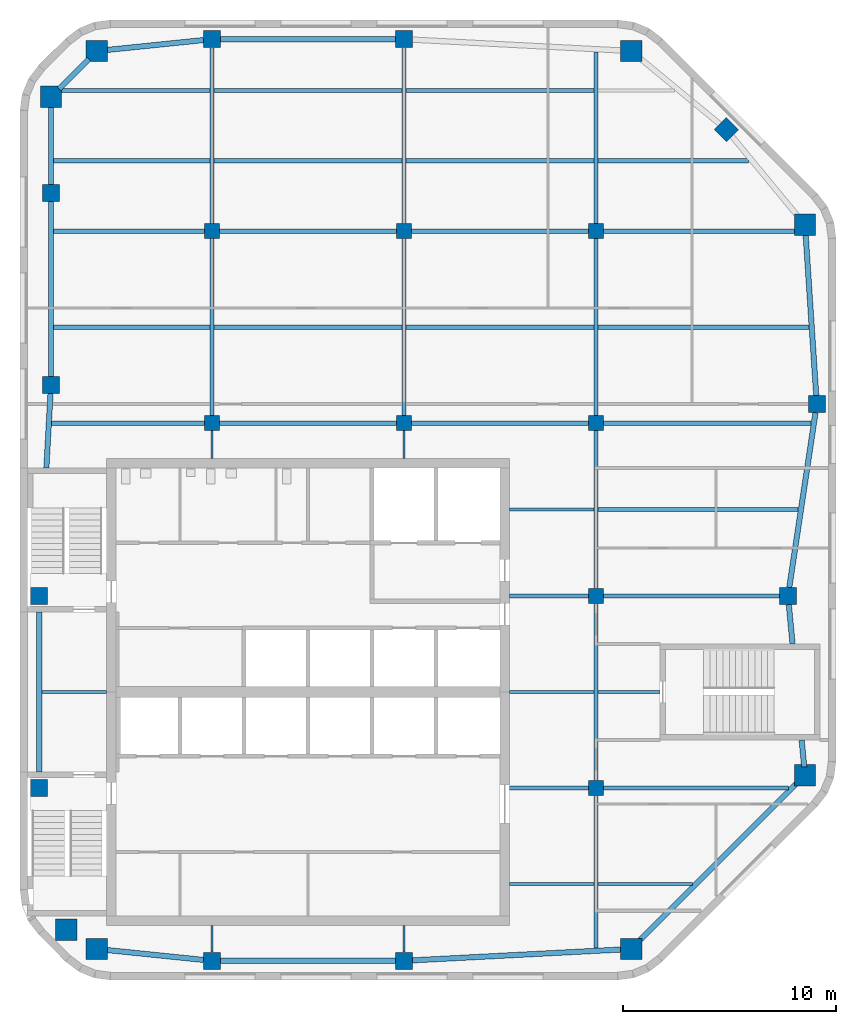
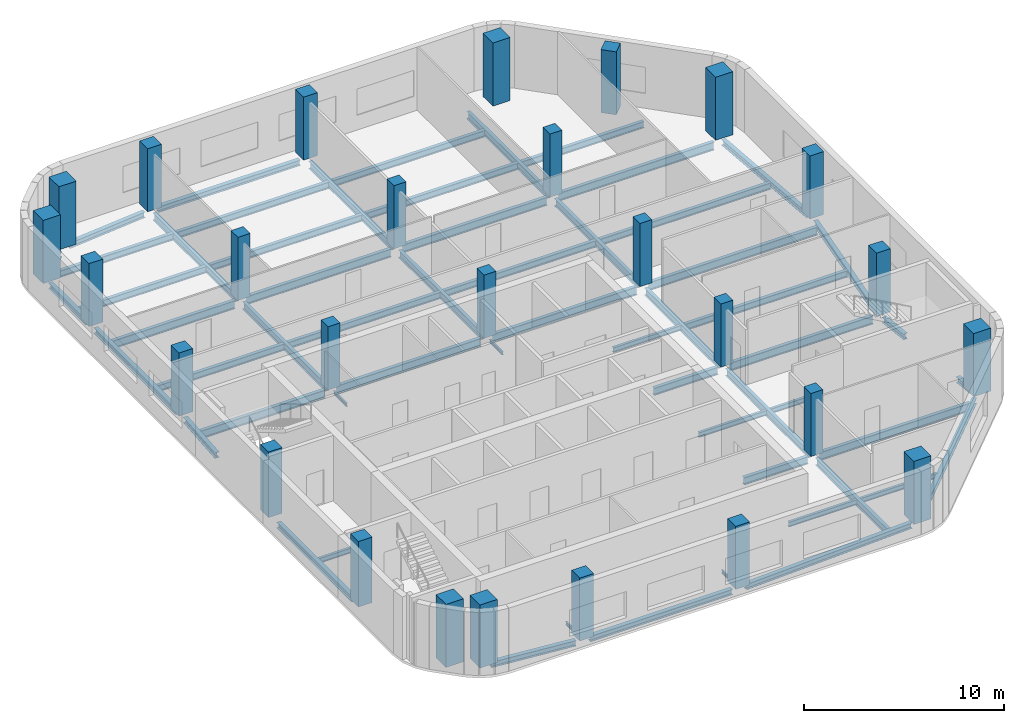
# One storey, part 1 of 7: 58 beams, 27 columns.
"""IFC4 building model written with IfcOpenShell, lengths in metres."""

from ifc_helpers import new_model, si_unit, direction, frame, origin, origin_2d, place, context, subcontext, project, spatial, rectangle, i_section, extrude, material, material_profile, profile_set, type_object, element, save


model = new_model("IFC4")

# Units and contexts
model_context = context("Model", 3, precision=1e-05, world=origin(), true_north=direction((0.0, 1.0)))
body_context = subcontext(model_context, "Body", "Model", "MODEL_VIEW")
ifc_project = project(units=[si_unit("LENGTHUNIT", "METRE"), si_unit("AREAUNIT", "SQUARE_METRE"), si_unit("VOLUMEUNIT", "CUBIC_METRE"), si_unit("PLANEANGLEUNIT", "RADIAN"), si_unit("MASSUNIT", "GRAM", prefix="KILO")], contexts=[model_context])

# Site, building, storey
site_placement = place(None, origin())
site = spatial("IfcSite", under=ifc_project, at=site_placement, CompositionType="ELEMENT")
building_placement = place(site_placement, origin())
building = spatial("IfcBuilding", under=site, at=building_placement, Name="Cinnabar Reach Civic Tower", CompositionType="ELEMENT")
storey_placement = place(building_placement, frame((0.0, 0.0, 263.0)))
storey = spatial("IfcBuildingStorey", under=building, at=storey_placement, Name="L63", CompositionType="ELEMENT", Elevation=263.0)

# Columns
ifc_material_1 = material(Name="Concrete C70", Category="concrete")
ifc_material_profile_1 = material_profile(ifc_material_1, rectangle(XDim=1.0, YDim=1.0, at=origin_2d()), Name="RC1000")
ifc_profile_set_1 = profile_set([ifc_material_profile_1], Name="Concrete C70")
column_type_1 = type_object("IfcColumnType", Name="RC1000 column R 240", PredefinedType="COLUMN", material=ifc_profile_set_1)
for number, where, z_axis, x_axis, name in (
    (1, (3.6019, 19.4531, 0.0), (0.0, 0.0, 1.0), (1.0, 0.0, 0.0), "Column T1-Z5-CC0"),
    (2, (28.6481, 19.4531, 0.0), (0.0, 0.0, 1.0), (1.0, 0.0, 0.0), "Column T1-Z5-CC1"),
    (3, (36.7969, 27.6019, 0.0), (0.0, 0.0, 1.0), (1.0, 0.0, 0.0), "Column T1-Z5-CC2"),
    (4, (36.7969, 53.3981, 0.0), (0.0, 0.0, 1.0), (1.0, 0.0, 0.0), "Column T1-Z5-CC3"),
    (5, (28.6481, 61.5469, 0.0), (0.0, 0.0, 1.0), (1.0, 0.0, 0.0), "Column T1-Z5-CC4"),
    (6, (3.6019, 61.5469, 0.0), (0.0, 0.0, 1.0), (1.0, 0.0, 0.0), "Column T1-Z5-CC5"),
    (7, (1.4531, 59.3981, 0.0), (0.0, 0.0, 1.0), (1.0, 0.0, 0.0), "Column T1-Z5-CC6"),
    (8, (2.1631, 20.35, 0.0), (0.0, 0.0, 1.0), (1.0, 0.0, 0.0), "Column T1-Z5-CC7"),
):
    element("IfcColumn", number, at=place(storey_placement, frame(where, z_axis=z_axis, x_axis=x_axis)), inside=storey, type_object=column_type_1, Name=name, PredefinedType="COLUMN", context=body_context, shape_type="SweptSolid", body=[
        extrude(rectangle(XDim=1.0, YDim=1.0, at=origin_2d()), origin(), (0.0, 0.0, 1.0), 3.85),
    ])
ifc_material_2 = material(Name="Concrete C60", Category="concrete")
ifc_material_profile_2 = material_profile(ifc_material_2, rectangle(XDim=0.7, YDim=0.7, at=origin_2d()), Name="RC700")
ifc_profile_set_2 = profile_set([ifc_material_profile_2], Name="Concrete C60")
column_type_2 = type_object("IfcColumnType", Name="RC700 column R 240", PredefinedType="COLUMN", material=ifc_profile_set_2)
for number, where, z_axis, x_axis, name in (
    (9, (9.0, 44.1, 0.0), (0.0, 0.0, 1.0), (1.0, 0.0, 0.0), "Column T1-Z5-I9_45"),
    (10, (9.0, 53.1, 0.0), (0.0, 0.0, 1.0), (1.0, 0.0, 0.0), "Column T1-Z5-I9_54"),
    (11, (18.0, 44.1, 0.0), (0.0, 0.0, 1.0), (1.0, 0.0, 0.0), "Column T1-Z5-I18_45"),
    (12, (18.0, 53.1, 0.0), (0.0, 0.0, 1.0), (1.0, 0.0, 0.0), "Column T1-Z5-I18_54"),
    (13, (27.0, 27.0, 0.0), (0.0, 0.0, 1.0), (1.0, 0.0, 0.0), "Column T1-Z5-I27_27"),
    (14, (27.0, 36.0, 0.0), (0.0, 0.0, 1.0), (1.0, 0.0, 0.0), "Column T1-Z5-I27_36"),
    (15, (27.0, 44.1, 0.0), (0.0, 0.0, 1.0), (1.0, 0.0, 0.0), "Column T1-Z5-I27_45"),
    (16, (27.0, 53.1, 0.0), (0.0, 0.0, 1.0), (1.0, 0.0, 0.0), "Column T1-Z5-I27_54"),
):
    element("IfcColumn", number, at=place(storey_placement, frame(where, z_axis=z_axis, x_axis=x_axis)), inside=storey, type_object=column_type_2, Name=name, PredefinedType="COLUMN", context=body_context, shape_type="SweptSolid", body=[
        extrude(rectangle(XDim=0.7, YDim=0.7, at=origin_2d()), origin(), (0.0, 0.0, 1.0), 3.85),
    ])
ifc_material_profile_3 = material_profile(ifc_material_2, rectangle(XDim=0.8, YDim=0.8, at=origin_2d()), Name="RC800")
ifc_profile_set_3 = profile_set([ifc_material_profile_3], Name="Concrete C60")
column_type_3 = type_object("IfcColumnType", Name="RC800 column R 240", PredefinedType="COLUMN", material=ifc_profile_set_3)
for number, where, z_axis, x_axis, name in (
    (17, (9.0, 18.9, 0.0), (0.0, 0.0, 1.0), (1.0, 0.0, 0.0), "Column T1-Z5-F0-1"),
    (18, (18.0, 18.9, 0.0), (0.0, 0.0, 1.0), (1.0, 0.0, 0.0), "Column T1-Z5-F0-2"),
    (19, (36.0, 36.0, 0.0), (0.0, 0.0, 1.0), (1.0, 0.0, 0.0), "Column T1-Z5-F2-4"),
    (20, (37.35, 45.0, 0.0), (0.0, 0.0, 1.0), (1.0, 0.0, 0.0), "Column T1-Z5-F2-5"),
    (21, (33.1136, 57.8636, 0.0), (0.0, 0.0, 1.0), (0.707106781187, 0.707106781187, 0.0), "Column T1-Z5-F3-M"),
    (22, (9.0, 62.1, 0.0), (0.0, 0.0, 1.0), (1.0, 0.0, 0.0), "Column T1-Z5-F4-1"),
    (23, (18.0, 62.1, 0.0), (0.0, 0.0, 1.0), (1.0, 0.0, 0.0), "Column T1-Z5-F4-2"),
):
    element("IfcColumn", number, at=place(storey_placement, frame(where, z_axis=z_axis, x_axis=x_axis)), inside=storey, type_object=column_type_3, Name=name, PredefinedType="COLUMN", context=body_context, shape_type="SweptSolid", body=[
        extrude(rectangle(XDim=0.8, YDim=0.8, at=origin_2d()), origin(), (0.0, 0.0, 1.0), 3.85),
    ])
for number, where, z_axis, x_axis, name in (
    (24, (0.9, 27.0, 0.0), (0.0, 0.0, 1.0), (1.0, 0.0, 0.0), "Column T1-Z5-F6-3"),
    (25, (0.9, 36.0, 0.0), (0.0, 0.0, 1.0), (1.0, 0.0, 0.0), "Column T1-Z5-F6-4"),
):
    element("IfcColumn", number, at=place(storey_placement, frame(where, z_axis=z_axis, x_axis=x_axis)), inside=storey, type_object=column_type_3, Name=name, PredefinedType="COLUMN", context=body_context, shape_type="SweptSolid", body=[
        extrude(rectangle(XDim=0.8, YDim=0.8, at=origin_2d()), origin(), (0.0, 0.0, 1.0), 4.0),
    ])
for number, where, z_axis, x_axis, name in (
    (26, (1.4531, 45.8981, 0.0), (0.0, 0.0, 1.0), (1.0, 0.0, 0.0), "Column T1-Z5-F6-5"),
    (27, (1.4531, 54.8981, 0.0), (0.0, 0.0, 1.0), (1.0, 0.0, 0.0), "Column T1-Z5-F6-6"),
):
    element("IfcColumn", number, at=place(storey_placement, frame(where, z_axis=z_axis, x_axis=x_axis)), inside=storey, type_object=column_type_3, Name=name, PredefinedType="COLUMN", context=body_context, shape_type="SweptSolid", body=[
        extrude(rectangle(XDim=0.8, YDim=0.8, at=origin_2d()), origin(), (0.0, 0.0, 1.0), 3.85),
    ])

# Beams
ifc_material_3 = material(Name="Steel Q355B", Category="steel")
ifc_material_profile_4 = material_profile(ifc_material_3, i_section(OverallWidth=0.25, OverallDepth=0.34, WebThickness=0.009, FlangeThickness=0.014, FilletRadius=0.013, at=origin_2d()), Name="HM340x250x9x14")
ifc_profile_set_4 = profile_set([ifc_material_profile_4], Name="Steel Q355B")
beam_type_1 = type_object("IfcBeamType", Name="HM340x250x9x14 beam R 180", PredefinedType="BEAM", material=ifc_profile_set_4)
beam_1_placement = place(storey_placement, frame((3.9839, 19.414, -0.32), z_axis=(0.994791084875, -0.101934770579, 0.0), x_axis=(0.101934770579, 0.994791084875, 0.0)))
element("IfcBeam", 28, at=beam_1_placement, inside=storey, type_object=beam_type_1, Name="Edge beam T1 L63 1", PredefinedType="BEAM", context=body_context, shape_type="SweptSolid", body=[
    extrude(i_section(OverallWidth=0.25, OverallDepth=0.34, WebThickness=0.009, FlangeThickness=0.014, FilletRadius=0.013, at=origin_2d()), origin(), (0.0, 0.0, 1.0), 4.6383),
])
beam_2_placement = place(storey_placement, frame((9.402, 18.9, -0.32), z_axis=(1.0, 0.0, 0.0), x_axis=(0.0, 1.0, 0.0)))
element("IfcBeam", 29, at=beam_2_placement, inside=storey, type_object=beam_type_1, Name="Edge beam T1 L63 2", PredefinedType="BEAM", context=body_context, shape_type="SweptSolid", body=[
    extrude(i_section(OverallWidth=0.25, OverallDepth=0.34, WebThickness=0.009, FlangeThickness=0.014, FilletRadius=0.013, at=origin_2d()), origin(), (0.0, 0.0, 1.0), 8.196),
])
beam_3_placement = place(storey_placement, frame((18.402, 18.9209, -0.32), z_axis=(0.998653533726, 0.051876001934, 0.0), x_axis=(-0.051876001934, 0.998653533726, 0.0)))
element("IfcBeam", 30, at=beam_3_placement, inside=storey, type_object=beam_type_1, Name="Edge beam T1 L63 3", PredefinedType="BEAM", context=body_context, shape_type="SweptSolid", body=[
    extrude(i_section(OverallWidth=0.25, OverallDepth=0.34, WebThickness=0.009, FlangeThickness=0.014, FilletRadius=0.013, at=origin_2d()), origin(), (0.0, 0.0, 1.0), 9.8774),
])
beam_4_placement = place(storey_placement, frame((29.0301, 19.8351, -0.32), z_axis=(0.707106781187, 0.707106781187, 0.0), x_axis=(-0.707106781187, 0.707106781187, 0.0)))
element("IfcBeam", 31, at=beam_4_placement, inside=storey, type_object=beam_type_1, Name="Edge beam T1 L63 4", PredefinedType="BEAM", context=body_context, shape_type="SweptSolid", body=[
    extrude(i_section(OverallWidth=0.25, OverallDepth=0.34, WebThickness=0.009, FlangeThickness=0.014, FilletRadius=0.013, at=origin_2d()), origin(), (0.0, 0.0, 1.0), 10.4437),
])
beam_5_placement = place(storey_placement, frame((36.7607, 27.9839, -0.32), z_axis=(-0.094504338241, 0.995524449752, 0.0), x_axis=(-0.995524449752, -0.094504338241, 0.0)))
element("IfcBeam", 32, at=beam_5_placement, inside=storey, type_object=beam_type_1, Name="Edge beam T1 L63 5", PredefinedType="BEAM", context=body_context, shape_type="SweptSolid", body=[
    extrude(i_section(OverallWidth=0.25, OverallDepth=0.34, WebThickness=0.009, FlangeThickness=0.014, FilletRadius=0.013, at=origin_2d()), origin(), (0.0, 0.0, 1.0), 1.2698),
])
beam_6_placement = place(storey_placement, frame((36.2133, 33.752, -0.32), z_axis=(-0.094483333102, 0.995526443529, 0.0), x_axis=(-0.995526443529, -0.094483333102, 0.0)))
element("IfcBeam", 33, at=beam_6_placement, inside=storey, type_object=beam_type_1, Name="Edge beam T1 L63 6", PredefinedType="BEAM", context=body_context, shape_type="SweptSolid", body=[
    extrude(i_section(OverallWidth=0.25, OverallDepth=0.34, WebThickness=0.009, FlangeThickness=0.014, FilletRadius=0.013, at=origin_2d()), origin(), (0.0, 0.0, 1.0), 1.8543),
])
beam_7_placement = place(storey_placement, frame((36.0603, 36.402, -0.32), z_axis=(0.14834045293, 0.988936352868, 0.0), x_axis=(-0.988936352868, 0.14834045293, 0.0)))
element("IfcBeam", 34, at=beam_7_placement, inside=storey, type_object=beam_type_1, Name="Edge beam T1 L63 7", PredefinedType="BEAM", context=body_context, shape_type="SweptSolid", body=[
    extrude(i_section(OverallWidth=0.25, OverallDepth=0.34, WebThickness=0.009, FlangeThickness=0.014, FilletRadius=0.013, at=origin_2d()), origin(), (0.0, 0.0, 1.0), 8.2877),
])
beam_8_placement = place(storey_placement, frame((37.3235, 45.402, -0.32), z_axis=(-0.065709195057, 0.997838815483, 0.0), x_axis=(-0.997838815483, -0.065709195057, 0.0)))
element("IfcBeam", 35, at=beam_8_placement, inside=storey, type_object=beam_type_1, Name="Edge beam T1 L63 8", PredefinedType="BEAM", context=body_context, shape_type="SweptSolid", body=[
    extrude(i_section(OverallWidth=0.25, OverallDepth=0.34, WebThickness=0.009, FlangeThickness=0.014, FilletRadius=0.013, at=origin_2d()), origin(), (0.0, 0.0, 1.0), 7.6306),
])
beam_9_placement = place(storey_placement, frame((17.598, 62.1, -0.32), z_axis=(-1.0, 0.0, 0.0), x_axis=(0.0, -1.0, 0.0)))
element("IfcBeam", 36, at=beam_9_placement, inside=storey, type_object=beam_type_1, Name="Edge beam T1 L63 12", PredefinedType="BEAM", context=body_context, shape_type="SweptSolid", body=[
    extrude(i_section(OverallWidth=0.25, OverallDepth=0.34, WebThickness=0.009, FlangeThickness=0.014, FilletRadius=0.013, at=origin_2d()), origin(), (0.0, 0.0, 1.0), 8.196),
])
beam_10_placement = place(storey_placement, frame((8.598, 62.0588, -0.32), z_axis=(-0.994791084875, -0.101934770579, 0.0), x_axis=(0.101934770579, -0.994791084875, 0.0)))
element("IfcBeam", 37, at=beam_10_placement, inside=storey, type_object=beam_type_1, Name="Edge beam T1 L63 13", PredefinedType="BEAM", context=body_context, shape_type="SweptSolid", body=[
    extrude(i_section(OverallWidth=0.25, OverallDepth=0.34, WebThickness=0.009, FlangeThickness=0.014, FilletRadius=0.013, at=origin_2d()), origin(), (0.0, 0.0, 1.0), 4.6383),
])
beam_11_placement = place(storey_placement, frame((3.2199, 61.1649, -0.32), z_axis=(-0.707106781187, -0.707106781187, 0.0), x_axis=(0.707106781187, -0.707106781187, 0.0)))
element("IfcBeam", 38, at=beam_11_placement, inside=storey, type_object=beam_type_1, Name="Edge beam T1 L63 14", PredefinedType="BEAM", context=body_context, shape_type="SweptSolid", body=[
    extrude(i_section(OverallWidth=0.25, OverallDepth=0.34, WebThickness=0.009, FlangeThickness=0.014, FilletRadius=0.013, at=origin_2d()), origin(), (0.0, 0.0, 1.0), 1.9584),
])
beam_12_placement = place(storey_placement, frame((1.4531, 59.0161, -0.32), z_axis=(0.0, -1.0, 0.0), x_axis=(1.0, 0.0, 0.0)))
element("IfcBeam", 39, at=beam_12_placement, inside=storey, type_object=beam_type_1, Name="Edge beam T1 L63 15", PredefinedType="BEAM", context=body_context, shape_type="SweptSolid", body=[
    extrude(i_section(OverallWidth=0.25, OverallDepth=0.34, WebThickness=0.009, FlangeThickness=0.014, FilletRadius=0.013, at=origin_2d()), origin(), (0.0, 0.0, 1.0), 3.716),
])
beam_13_placement = place(storey_placement, frame((1.4531, 54.4961, -0.32), z_axis=(0.0, -1.0, 0.0), x_axis=(1.0, 0.0, 0.0)))
element("IfcBeam", 40, at=beam_13_placement, inside=storey, type_object=beam_type_1, Name="Edge beam T1 L63 16", PredefinedType="BEAM", context=body_context, shape_type="SweptSolid", body=[
    extrude(i_section(OverallWidth=0.25, OverallDepth=0.34, WebThickness=0.009, FlangeThickness=0.014, FilletRadius=0.013, at=origin_2d()), origin(), (0.0, 0.0, 1.0), 8.196),
])
beam_14_placement = place(storey_placement, frame((1.4306, 45.4961, -0.32), z_axis=(-0.055778628236, -0.998443160441, 0.0), x_axis=(0.998443160441, -0.055778628236, 0.0)))
element("IfcBeam", 41, at=beam_14_placement, inside=storey, type_object=beam_type_1, Name="Edge beam T1 L63 17", PredefinedType="BEAM", context=body_context, shape_type="SweptSolid", body=[
    extrude(i_section(OverallWidth=0.25, OverallDepth=0.34, WebThickness=0.009, FlangeThickness=0.014, FilletRadius=0.013, at=origin_2d()), origin(), (0.0, 0.0, 1.0), 3.4995),
])
beam_15_placement = place(storey_placement, frame((0.9, 35.248, -0.32), z_axis=(0.0, -1.0, 0.0), x_axis=(1.0, 0.0, 0.0)))
element("IfcBeam", 42, at=beam_15_placement, inside=storey, type_object=beam_type_1, Name="Edge beam T1 L63 18", PredefinedType="BEAM", context=body_context, shape_type="SweptSolid", body=[
    extrude(i_section(OverallWidth=0.25, OverallDepth=0.34, WebThickness=0.009, FlangeThickness=0.014, FilletRadius=0.013, at=origin_2d()), origin(), (0.0, 0.0, 1.0), 7.496),
])
ifc_material_profile_5 = material_profile(ifc_material_3, i_section(OverallWidth=0.099, OverallDepth=0.198, WebThickness=0.0045, FlangeThickness=0.007, FilletRadius=0.013, at=origin_2d()), Name="HN200x100x5.5x8")
ifc_profile_set_5 = profile_set([ifc_material_profile_5], Name="Steel Q355B")
beam_type_2 = type_object("IfcBeamType", Name="HN200x100x5.5x8 beam R 180", PredefinedType="BEAM", material=ifc_profile_set_5)
beam_16_placement = place(storey_placement, frame((9.0, 19.302, -0.249), z_axis=(0.0, 1.0, 0.0), x_axis=(-1.0, 0.0, 0.0)))
element("IfcBeam", 43, at=beam_16_placement, inside=storey, type_object=beam_type_2, Name="Girder T1 L63 1", PredefinedType="BEAM", context=body_context, shape_type="SweptSolid", body=[
    extrude(i_section(OverallWidth=0.099, OverallDepth=0.198, WebThickness=0.0045, FlangeThickness=0.007, FilletRadius=0.013, at=origin_2d()), origin(), (0.0, 0.0, 1.0), 1.246),
])
beam_17_placement = place(storey_placement, frame((9.0, 42.452, -0.249), z_axis=(0.0, 1.0, 0.0), x_axis=(-1.0, 0.0, 0.0)))
element("IfcBeam", 44, at=beam_17_placement, inside=storey, type_object=beam_type_2, Name="Girder T1 L63 2", PredefinedType="BEAM", context=body_context, shape_type="SweptSolid", body=[
    extrude(i_section(OverallWidth=0.099, OverallDepth=0.198, WebThickness=0.0045, FlangeThickness=0.007, FilletRadius=0.013, at=origin_2d()), origin(), (0.0, 0.0, 1.0), 1.296),
])
beam_18_placement = place(storey_placement, frame((18.0, 19.302, -0.249), z_axis=(0.0, 1.0, 0.0), x_axis=(-1.0, 0.0, 0.0)))
element("IfcBeam", 45, at=beam_18_placement, inside=storey, type_object=beam_type_2, Name="Girder T1 L63 5", PredefinedType="BEAM", context=body_context, shape_type="SweptSolid", body=[
    extrude(i_section(OverallWidth=0.099, OverallDepth=0.198, WebThickness=0.0045, FlangeThickness=0.007, FilletRadius=0.013, at=origin_2d()), origin(), (0.0, 0.0, 1.0), 1.246),
])
beam_19_placement = place(storey_placement, frame((18.0, 42.452, -0.249), z_axis=(0.0, 1.0, 0.0), x_axis=(-1.0, 0.0, 0.0)))
element("IfcBeam", 46, at=beam_19_placement, inside=storey, type_object=beam_type_2, Name="Girder T1 L63 6", PredefinedType="BEAM", context=body_context, shape_type="SweptSolid", body=[
    extrude(i_section(OverallWidth=0.099, OverallDepth=0.198, WebThickness=0.0045, FlangeThickness=0.007, FilletRadius=0.013, at=origin_2d()), origin(), (0.0, 0.0, 1.0), 1.296),
])
ifc_material_profile_6 = material_profile(ifc_material_3, i_section(OverallWidth=0.15, OverallDepth=0.3, WebThickness=0.0065, FlangeThickness=0.009, FilletRadius=0.013, at=origin_2d()), Name="HN300x150x6.5x9")
ifc_profile_set_6 = profile_set([ifc_material_profile_6], Name="Steel Q355B")
beam_type_3 = type_object("IfcBeamType", Name="HN300x150x6.5x9 beam R 180", PredefinedType="BEAM", material=ifc_profile_set_6)
beam_20_placement = place(storey_placement, frame((22.952, 22.5, -0.3), z_axis=(1.0, 0.0, 0.0), x_axis=(0.0, 1.0, 0.0)))
element("IfcBeam", 47, at=beam_20_placement, inside=storey, type_object=beam_type_3, Name="Secondary beam T1 L63 1", PredefinedType="BEAM", context=body_context, shape_type="SweptSolid", body=[
    extrude(i_section(OverallWidth=0.15, OverallDepth=0.3, WebThickness=0.0065, FlangeThickness=0.009, FilletRadius=0.013, at=origin_2d()), origin(), (0.0, 0.0, 1.0), 3.946),
])
beam_21_placement = place(storey_placement, frame((27.102, 22.5, -0.3), z_axis=(1.0, 0.0, 0.0), x_axis=(0.0, 1.0, 0.0)))
element("IfcBeam", 48, at=beam_21_placement, inside=storey, type_object=beam_type_3, Name="Secondary beam T1 L63 2", PredefinedType="BEAM", context=body_context, shape_type="SweptSolid", body=[
    extrude(i_section(OverallWidth=0.15, OverallDepth=0.3, WebThickness=0.0065, FlangeThickness=0.009, FilletRadius=0.013, at=origin_2d()), origin(), (0.0, 0.0, 1.0), 4.4134),
])
beam_22_placement = place(storey_placement, frame((1.027, 31.5, -0.3), z_axis=(1.0, 0.0, 0.0), x_axis=(0.0, 1.0, 0.0)))
element("IfcBeam", 49, at=beam_22_placement, inside=storey, type_object=beam_type_3, Name="Secondary beam T1 L63 3", PredefinedType="BEAM", context=body_context, shape_type="SweptSolid", body=[
    extrude(i_section(OverallWidth=0.15, OverallDepth=0.3, WebThickness=0.0065, FlangeThickness=0.009, FilletRadius=0.013, at=origin_2d()), origin(), (0.0, 0.0, 1.0), 3.021),
])
beam_23_placement = place(storey_placement, frame((22.952, 31.5, -0.3), z_axis=(1.0, 0.0, 0.0), x_axis=(0.0, 1.0, 0.0)))
element("IfcBeam", 50, at=beam_23_placement, inside=storey, type_object=beam_type_3, Name="Secondary beam T1 L63 4", PredefinedType="BEAM", context=body_context, shape_type="SweptSolid", body=[
    extrude(i_section(OverallWidth=0.15, OverallDepth=0.3, WebThickness=0.0065, FlangeThickness=0.009, FilletRadius=0.013, at=origin_2d()), origin(), (0.0, 0.0, 1.0), 3.946),
])
beam_24_placement = place(storey_placement, frame((27.102, 31.5, -0.3), z_axis=(1.0, 0.0, 0.0), x_axis=(0.0, 1.0, 0.0)))
element("IfcBeam", 51, at=beam_24_placement, inside=storey, type_object=beam_type_3, Name="Secondary beam T1 L63 5", PredefinedType="BEAM", context=body_context, shape_type="SweptSolid", body=[
    extrude(i_section(OverallWidth=0.15, OverallDepth=0.3, WebThickness=0.0065, FlangeThickness=0.009, FilletRadius=0.013, at=origin_2d()), origin(), (0.0, 0.0, 1.0), 2.896),
])
beam_25_placement = place(storey_placement, frame((22.952, 40.05, -0.3), z_axis=(1.0, 0.0, 0.0), x_axis=(0.0, 1.0, 0.0)))
element("IfcBeam", 52, at=beam_25_placement, inside=storey, type_object=beam_type_3, Name="Secondary beam T1 L63 6", PredefinedType="BEAM", context=body_context, shape_type="SweptSolid", body=[
    extrude(i_section(OverallWidth=0.15, OverallDepth=0.3, WebThickness=0.0065, FlangeThickness=0.009, FilletRadius=0.013, at=origin_2d()), origin(), (0.0, 0.0, 1.0), 3.946),
])
ifc_material_profile_7 = material_profile(ifc_material_3, i_section(OverallWidth=0.2, OverallDepth=0.4, WebThickness=0.008, FlangeThickness=0.013, FilletRadius=0.016, at=origin_2d()), Name="HN400x200x8x13")
ifc_profile_set_7 = profile_set([ifc_material_profile_7], Name="Steel Q355B")
beam_type_4 = type_object("IfcBeamType", Name="HN400x200x8x13 beam R 180", PredefinedType="BEAM", material=ifc_profile_set_7)
beam_26_placement = place(storey_placement, frame((27.102, 40.05, -0.35), z_axis=(1.0, 0.0, 0.0), x_axis=(0.0, 1.0, 0.0)))
element("IfcBeam", 53, at=beam_26_placement, inside=storey, type_object=beam_type_4, Name="Secondary beam T1 L63 7", PredefinedType="BEAM", context=body_context, shape_type="SweptSolid", body=[
    extrude(i_section(OverallWidth=0.2, OverallDepth=0.4, WebThickness=0.008, FlangeThickness=0.013, FilletRadius=0.016, at=origin_2d()), origin(), (0.0, 0.0, 1.0), 9.3771),
])
beam_27_placement = place(storey_placement, frame((1.5801, 48.6, -0.35), z_axis=(1.0, 0.0, 0.0), x_axis=(0.0, 1.0, 0.0)))
element("IfcBeam", 54, at=beam_27_placement, inside=storey, type_object=beam_type_4, Name="Secondary beam T1 L63 8", PredefinedType="BEAM", context=body_context, shape_type="SweptSolid", body=[
    extrude(i_section(OverallWidth=0.2, OverallDepth=0.4, WebThickness=0.008, FlangeThickness=0.013, FilletRadius=0.016, at=origin_2d()), origin(), (0.0, 0.0, 1.0), 7.3179),
])
for number, where, z_axis, x_axis, name in (
    (55, (9.102, 48.6, -0.35), (1.0, 0.0, 0.0), (0.0, 1.0, 0.0), "Secondary beam T1 L63 9"),
    (56, (18.102, 48.6, -0.35), (1.0, 0.0, 0.0), (0.0, 1.0, 0.0), "Secondary beam T1 L63 10"),
):
    element("IfcBeam", number, at=place(storey_placement, frame(where, z_axis=z_axis, x_axis=x_axis)), inside=storey, type_object=beam_type_4, Name=name, PredefinedType="BEAM", context=body_context, shape_type="SweptSolid", body=[
        extrude(i_section(OverallWidth=0.2, OverallDepth=0.4, WebThickness=0.008, FlangeThickness=0.013, FilletRadius=0.016, at=origin_2d()), origin(), (0.0, 0.0, 1.0), 8.796),
    ])
beam_28_placement = place(storey_placement, frame((27.102, 48.6, -0.35), z_axis=(1.0, 0.0, 0.0), x_axis=(0.0, 1.0, 0.0)))
element("IfcBeam", 57, at=beam_28_placement, inside=storey, type_object=beam_type_4, Name="Secondary beam T1 L63 11", PredefinedType="BEAM", context=body_context, shape_type="SweptSolid", body=[
    extrude(i_section(OverallWidth=0.2, OverallDepth=0.4, WebThickness=0.008, FlangeThickness=0.013, FilletRadius=0.016, at=origin_2d()), origin(), (0.0, 0.0, 1.0), 9.8836),
])
beam_29_placement = place(storey_placement, frame((1.5801, 56.4, -0.35), z_axis=(1.0, 0.0, 0.0), x_axis=(0.0, 1.0, 0.0)))
element("IfcBeam", 58, at=beam_29_placement, inside=storey, type_object=beam_type_4, Name="Secondary beam T1 L63 12", PredefinedType="BEAM", context=body_context, shape_type="SweptSolid", body=[
    extrude(i_section(OverallWidth=0.2, OverallDepth=0.4, WebThickness=0.008, FlangeThickness=0.013, FilletRadius=0.016, at=origin_2d()), origin(), (0.0, 0.0, 1.0), 7.3179),
])
for number, where, z_axis, x_axis, name in (
    (59, (9.102, 56.4, -0.35), (1.0, 0.0, 0.0), (0.0, 1.0, 0.0), "Secondary beam T1 L63 13"),
    (60, (18.102, 56.4, -0.35), (1.0, 0.0, 0.0), (0.0, 1.0, 0.0), "Secondary beam T1 L63 14"),
):
    element("IfcBeam", number, at=place(storey_placement, frame(where, z_axis=z_axis, x_axis=x_axis)), inside=storey, type_object=beam_type_4, Name=name, PredefinedType="BEAM", context=body_context, shape_type="SweptSolid", body=[
        extrude(i_section(OverallWidth=0.2, OverallDepth=0.4, WebThickness=0.008, FlangeThickness=0.013, FilletRadius=0.016, at=origin_2d()), origin(), (0.0, 0.0, 1.0), 8.796),
    ])
beam_30_placement = place(storey_placement, frame((27.102, 56.4, -0.35), z_axis=(1.0, 0.0, 0.0), x_axis=(0.0, 1.0, 0.0)))
element("IfcBeam", 61, at=beam_30_placement, inside=storey, type_object=beam_type_4, Name="Secondary beam T1 L63 15", PredefinedType="BEAM", context=body_context, shape_type="SweptSolid", body=[
    extrude(i_section(OverallWidth=0.2, OverallDepth=0.4, WebThickness=0.008, FlangeThickness=0.013, FilletRadius=0.016, at=origin_2d()), origin(), (0.0, 0.0, 1.0), 7.0542),
])
beam_31_placement = place(storey_placement, frame((1.9551, 59.7, -0.35), z_axis=(1.0, 0.0, 0.0), x_axis=(0.0, 1.0, 0.0)))
element("IfcBeam", 62, at=beam_31_placement, inside=storey, type_object=beam_type_4, Name="Secondary beam T1 L63 16", PredefinedType="BEAM", context=body_context, shape_type="SweptSolid", body=[
    extrude(i_section(OverallWidth=0.2, OverallDepth=0.4, WebThickness=0.008, FlangeThickness=0.013, FilletRadius=0.016, at=origin_2d()), origin(), (0.0, 0.0, 1.0), 6.9429),
])
for number, where, z_axis, x_axis, name in (
    (63, (9.102, 59.7, -0.35), (1.0, 0.0, 0.0), (0.0, 1.0, 0.0), "Secondary beam T1 L63 17"),
    (64, (18.102, 59.7, -0.35), (1.0, 0.0, 0.0), (0.0, 1.0, 0.0), "Secondary beam T1 L63 18"),
):
    element("IfcBeam", number, at=place(storey_placement, frame(where, z_axis=z_axis, x_axis=x_axis)), inside=storey, type_object=beam_type_4, Name=name, PredefinedType="BEAM", context=body_context, shape_type="SweptSolid", body=[
        extrude(i_section(OverallWidth=0.2, OverallDepth=0.4, WebThickness=0.008, FlangeThickness=0.013, FilletRadius=0.016, at=origin_2d()), origin(), (0.0, 0.0, 1.0), 8.796),
    ])
ifc_material_profile_8 = material_profile(ifc_material_3, i_section(OverallWidth=0.2, OverallDepth=0.45, WebThickness=0.009, FlangeThickness=0.014, FilletRadius=0.016, at=origin_2d()), Name="HN450x200x9x14")
ifc_profile_set_8 = profile_set([ifc_material_profile_8], Name="Steel Q355B")
beam_type_5 = type_object("IfcBeamType", Name="HN450x200x9x14 beam R 180", PredefinedType="BEAM", material=ifc_profile_set_8)
for number, where, z_axis, x_axis, name in (
    (65, (22.952, 27.0, -0.375), (1.0, 0.0, 0.0), (0.0, 1.0, 0.0), "Girder T1 L63 1"),
    (66, (22.952, 36.0, -0.375), (1.0, 0.0, 0.0), (0.0, 1.0, 0.0), "Girder T1 L63 3"),
):
    element("IfcBeam", number, at=place(storey_placement, frame(where, z_axis=z_axis, x_axis=x_axis)), inside=storey, type_object=beam_type_5, Name=name, PredefinedType="BEAM", context=body_context, shape_type="SweptSolid", body=[
        extrude(i_section(OverallWidth=0.2, OverallDepth=0.45, WebThickness=0.009, FlangeThickness=0.014, FilletRadius=0.016, at=origin_2d()), origin(), (0.0, 0.0, 1.0), 3.696),
    ])
beam_32_placement = place(storey_placement, frame((9.0, 44.452, -0.375), z_axis=(0.0, 1.0, 0.0), x_axis=(-1.0, 0.0, 0.0)))
element("IfcBeam", 67, at=beam_32_placement, inside=storey, type_object=beam_type_5, Name="Girder T1 L63 3", PredefinedType="BEAM", context=body_context, shape_type="SweptSolid", body=[
    extrude(i_section(OverallWidth=0.2, OverallDepth=0.45, WebThickness=0.009, FlangeThickness=0.014, FilletRadius=0.016, at=origin_2d()), origin(), (0.0, 0.0, 1.0), 8.296),
])
beam_33_placement = place(storey_placement, frame((9.0, 53.452, -0.375), z_axis=(0.0, 1.0, 0.0), x_axis=(-1.0, 0.0, 0.0)))
element("IfcBeam", 68, at=beam_33_placement, inside=storey, type_object=beam_type_5, Name="Girder T1 L63 4", PredefinedType="BEAM", context=body_context, shape_type="SweptSolid", body=[
    extrude(i_section(OverallWidth=0.2, OverallDepth=0.45, WebThickness=0.009, FlangeThickness=0.014, FilletRadius=0.016, at=origin_2d()), origin(), (0.0, 0.0, 1.0), 8.246),
])
beam_34_placement = place(storey_placement, frame((18.0, 44.452, -0.375), z_axis=(0.0, 1.0, 0.0), x_axis=(-1.0, 0.0, 0.0)))
element("IfcBeam", 69, at=beam_34_placement, inside=storey, type_object=beam_type_5, Name="Girder T1 L63 7", PredefinedType="BEAM", context=body_context, shape_type="SweptSolid", body=[
    extrude(i_section(OverallWidth=0.2, OverallDepth=0.45, WebThickness=0.009, FlangeThickness=0.014, FilletRadius=0.016, at=origin_2d()), origin(), (0.0, 0.0, 1.0), 8.296),
])
beam_35_placement = place(storey_placement, frame((18.0, 53.452, -0.375), z_axis=(0.0, 1.0, 0.0), x_axis=(-1.0, 0.0, 0.0)))
element("IfcBeam", 70, at=beam_35_placement, inside=storey, type_object=beam_type_5, Name="Girder T1 L63 8", PredefinedType="BEAM", context=body_context, shape_type="SweptSolid", body=[
    extrude(i_section(OverallWidth=0.2, OverallDepth=0.45, WebThickness=0.009, FlangeThickness=0.014, FilletRadius=0.016, at=origin_2d()), origin(), (0.0, 0.0, 1.0), 8.246),
])
beam_36_placement = place(storey_placement, frame((27.0, 19.4947, -0.375), z_axis=(0.0, 1.0, 0.0), x_axis=(-1.0, 0.0, 0.0)))
element("IfcBeam", 71, at=beam_36_placement, inside=storey, type_object=beam_type_5, Name="Girder T1 L63 9", PredefinedType="BEAM", context=body_context, shape_type="SweptSolid", body=[
    extrude(i_section(OverallWidth=0.2, OverallDepth=0.45, WebThickness=0.009, FlangeThickness=0.014, FilletRadius=0.016, at=origin_2d()), origin(), (0.0, 0.0, 1.0), 7.1533),
])
beam_37_placement = place(storey_placement, frame((27.0, 27.352, -0.375), z_axis=(0.0, 1.0, 0.0), x_axis=(-1.0, 0.0, 0.0)))
element("IfcBeam", 72, at=beam_37_placement, inside=storey, type_object=beam_type_5, Name="Girder T1 L63 10", PredefinedType="BEAM", context=body_context, shape_type="SweptSolid", body=[
    extrude(i_section(OverallWidth=0.2, OverallDepth=0.45, WebThickness=0.009, FlangeThickness=0.014, FilletRadius=0.016, at=origin_2d()), origin(), (0.0, 0.0, 1.0), 8.296),
])
beam_38_placement = place(storey_placement, frame((27.0, 36.352, -0.375), z_axis=(0.0, 1.0, 0.0), x_axis=(-1.0, 0.0, 0.0)))
element("IfcBeam", 73, at=beam_38_placement, inside=storey, type_object=beam_type_5, Name="Girder T1 L63 11", PredefinedType="BEAM", context=body_context, shape_type="SweptSolid", body=[
    extrude(i_section(OverallWidth=0.2, OverallDepth=0.45, WebThickness=0.009, FlangeThickness=0.014, FilletRadius=0.016, at=origin_2d()), origin(), (0.0, 0.0, 1.0), 7.396),
])
beam_39_placement = place(storey_placement, frame((27.0, 44.452, -0.375), z_axis=(0.0, 1.0, 0.0), x_axis=(-1.0, 0.0, 0.0)))
element("IfcBeam", 74, at=beam_39_placement, inside=storey, type_object=beam_type_5, Name="Girder T1 L63 12", PredefinedType="BEAM", context=body_context, shape_type="SweptSolid", body=[
    extrude(i_section(OverallWidth=0.2, OverallDepth=0.45, WebThickness=0.009, FlangeThickness=0.014, FilletRadius=0.016, at=origin_2d()), origin(), (0.0, 0.0, 1.0), 8.296),
])
beam_40_placement = place(storey_placement, frame((27.0, 53.452, -0.375), z_axis=(0.0, 1.0, 0.0), x_axis=(-1.0, 0.0, 0.0)))
element("IfcBeam", 75, at=beam_40_placement, inside=storey, type_object=beam_type_5, Name="Girder T1 L63 13", PredefinedType="BEAM", context=body_context, shape_type="SweptSolid", body=[
    extrude(i_section(OverallWidth=0.2, OverallDepth=0.45, WebThickness=0.009, FlangeThickness=0.014, FilletRadius=0.016, at=origin_2d()), origin(), (0.0, 0.0, 1.0), 8.0533),
])
ifc_material_profile_9 = material_profile(ifc_material_3, i_section(OverallWidth=0.2, OverallDepth=0.5, WebThickness=0.01, FlangeThickness=0.016, FilletRadius=0.016, at=origin_2d()), Name="HN500x200x10x16")
ifc_profile_set_9 = profile_set([ifc_material_profile_9], Name="Steel Q355B")
beam_type_6 = type_object("IfcBeamType", Name="HN500x200x10x16 beam R 180", PredefinedType="BEAM", material=ifc_profile_set_9)
beam_41_placement = place(storey_placement, frame((27.352, 27.0, -0.4), z_axis=(1.0, 0.0, 0.0), x_axis=(0.0, 1.0, 0.0)))
element("IfcBeam", 76, at=beam_41_placement, inside=storey, type_object=beam_type_6, Name="Girder T1 L63 2", PredefinedType="BEAM", context=body_context, shape_type="SweptSolid", body=[
    extrude(i_section(OverallWidth=0.2, OverallDepth=0.5, WebThickness=0.01, FlangeThickness=0.016, FilletRadius=0.016, at=origin_2d()), origin(), (0.0, 0.0, 1.0), 8.6634),
])
beam_42_placement = place(storey_placement, frame((27.352, 36.0, -0.4), z_axis=(1.0, 0.0, 0.0), x_axis=(0.0, 1.0, 0.0)))
element("IfcBeam", 77, at=beam_42_placement, inside=storey, type_object=beam_type_6, Name="Girder T1 L63 4", PredefinedType="BEAM", context=body_context, shape_type="SweptSolid", body=[
    extrude(i_section(OverallWidth=0.2, OverallDepth=0.5, WebThickness=0.01, FlangeThickness=0.016, FilletRadius=0.016, at=origin_2d()), origin(), (0.0, 0.0, 1.0), 8.246),
])
beam_43_placement = place(storey_placement, frame((1.4798, 44.1, -0.4), z_axis=(1.0, 0.0, 0.0), x_axis=(0.0, 1.0, 0.0)))
element("IfcBeam", 78, at=beam_43_placement, inside=storey, type_object=beam_type_6, Name="Girder T1 L63 5", PredefinedType="BEAM", context=body_context, shape_type="SweptSolid", body=[
    extrude(i_section(OverallWidth=0.2, OverallDepth=0.5, WebThickness=0.01, FlangeThickness=0.016, FilletRadius=0.016, at=origin_2d()), origin(), (0.0, 0.0, 1.0), 7.1682),
])
for number, where, z_axis, x_axis, name in (
    (79, (9.352, 44.1, -0.4), (1.0, 0.0, 0.0), (0.0, 1.0, 0.0), "Girder T1 L63 6"),
    (80, (18.352, 44.1, -0.4), (1.0, 0.0, 0.0), (0.0, 1.0, 0.0), "Girder T1 L63 7"),
):
    element("IfcBeam", number, at=place(storey_placement, frame(where, z_axis=z_axis, x_axis=x_axis)), inside=storey, type_object=beam_type_6, Name=name, PredefinedType="BEAM", context=body_context, shape_type="SweptSolid", body=[
        extrude(i_section(OverallWidth=0.2, OverallDepth=0.5, WebThickness=0.01, FlangeThickness=0.016, FilletRadius=0.016, at=origin_2d()), origin(), (0.0, 0.0, 1.0), 8.296),
    ])
beam_44_placement = place(storey_placement, frame((27.352, 44.1, -0.4), z_axis=(1.0, 0.0, 0.0), x_axis=(0.0, 1.0, 0.0)))
element("IfcBeam", 81, at=beam_44_placement, inside=storey, type_object=beam_type_6, Name="Girder T1 L63 8", PredefinedType="BEAM", context=body_context, shape_type="SweptSolid", body=[
    extrude(i_section(OverallWidth=0.2, OverallDepth=0.5, WebThickness=0.01, FlangeThickness=0.016, FilletRadius=0.016, at=origin_2d()), origin(), (0.0, 0.0, 1.0), 9.7346),
])
beam_45_placement = place(storey_placement, frame((1.5801, 53.1, -0.4), z_axis=(1.0, 0.0, 0.0), x_axis=(0.0, 1.0, 0.0)))
element("IfcBeam", 82, at=beam_45_placement, inside=storey, type_object=beam_type_6, Name="Girder T1 L63 9", PredefinedType="BEAM", context=body_context, shape_type="SweptSolid", body=[
    extrude(i_section(OverallWidth=0.2, OverallDepth=0.5, WebThickness=0.01, FlangeThickness=0.016, FilletRadius=0.016, at=origin_2d()), origin(), (0.0, 0.0, 1.0), 7.0679),
])
for number, where, z_axis, x_axis, name in (
    (83, (9.352, 53.1, -0.4), (1.0, 0.0, 0.0), (0.0, 1.0, 0.0), "Girder T1 L63 10"),
    (84, (18.352, 53.1, -0.4), (1.0, 0.0, 0.0), (0.0, 1.0, 0.0), "Girder T1 L63 11"),
):
    element("IfcBeam", number, at=place(storey_placement, frame(where, z_axis=z_axis, x_axis=x_axis)), inside=storey, type_object=beam_type_6, Name=name, PredefinedType="BEAM", context=body_context, shape_type="SweptSolid", body=[
        extrude(i_section(OverallWidth=0.2, OverallDepth=0.5, WebThickness=0.01, FlangeThickness=0.016, FilletRadius=0.016, at=origin_2d()), origin(), (0.0, 0.0, 1.0), 8.296),
    ])
beam_46_placement = place(storey_placement, frame((27.352, 53.1, -0.4), z_axis=(1.0, 0.0, 0.0), x_axis=(0.0, 1.0, 0.0)))
element("IfcBeam", 85, at=beam_46_placement, inside=storey, type_object=beam_type_6, Name="Girder T1 L63 12", PredefinedType="BEAM", context=body_context, shape_type="SweptSolid", body=[
    extrude(i_section(OverallWidth=0.2, OverallDepth=0.5, WebThickness=0.01, FlangeThickness=0.016, FilletRadius=0.016, at=origin_2d()), origin(), (0.0, 0.0, 1.0), 8.9429),
])

save(model, "model.ifc")
